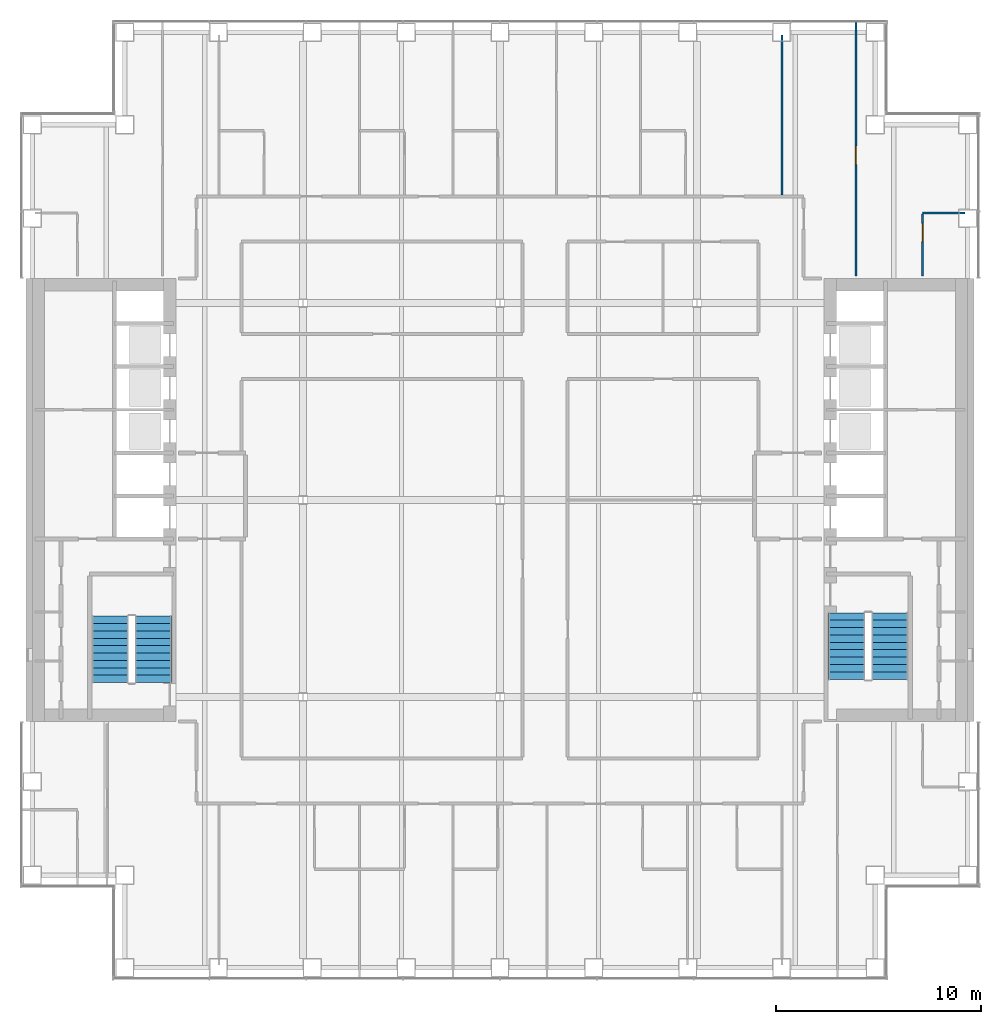
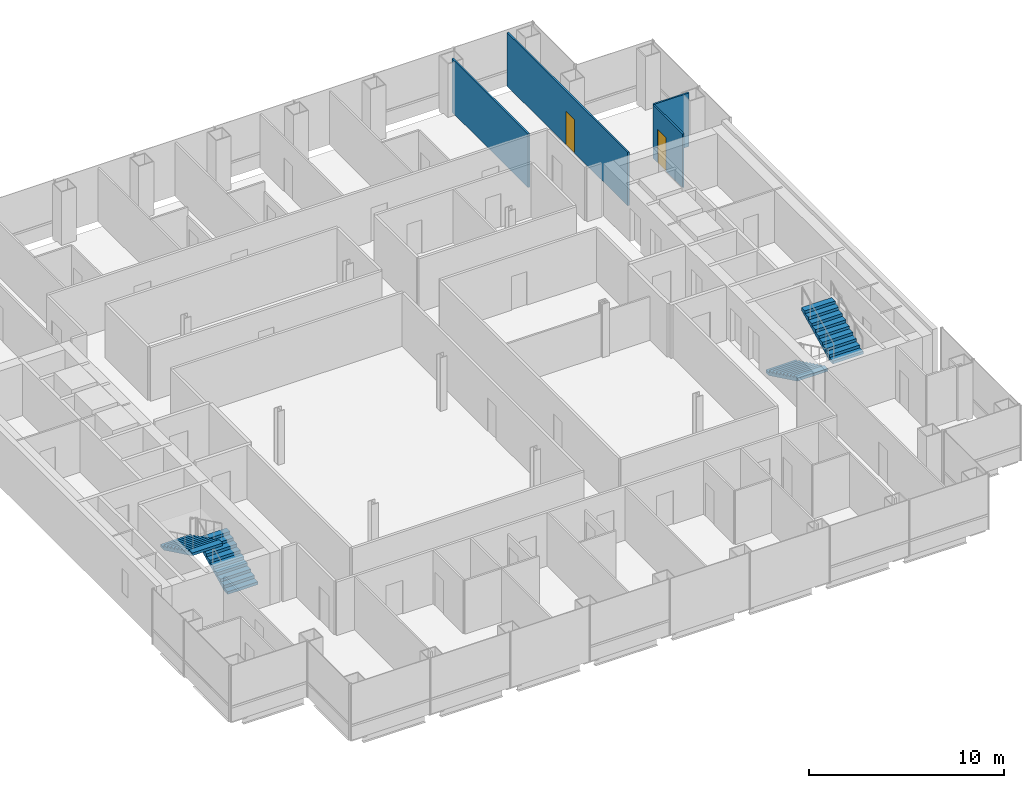
# One storey, part 14 of 16: 4 stair flights, 4 walls, 2 doors, 2 openings, 2 elements without a shape of their own.
"""IFC4 building model written with IfcOpenShell, lengths in metres."""

from ifc_helpers import new_model, si_unit, direction, frame, frame_2d, origin, place, context, subcontext, project, spatial, polyline, rectangle, outline, extrude, material, layer, layer_set, type_object, element, fill, aggregate, save


model = new_model("IFC4")

# Units and contexts
model_context = context("Model", 3, precision=1e-05, world=origin(), true_north=direction((0.0, 1.0)))
body_context = subcontext(model_context, "Body", "Model", "MODEL_VIEW")
ifc_project = project(units=[si_unit("LENGTHUNIT", "METRE"), si_unit("AREAUNIT", "SQUARE_METRE"), si_unit("VOLUMEUNIT", "CUBIC_METRE"), si_unit("PLANEANGLEUNIT", "RADIAN"), si_unit("MASSUNIT", "GRAM", prefix="KILO")], contexts=[model_context])

# Site, building, storey
site_placement = place(None, origin())
site = spatial("IfcSite", under=ifc_project, at=site_placement, CompositionType="ELEMENT")
building_placement = place(site_placement, origin())
building = spatial("IfcBuilding", under=site, at=building_placement, Name="Cobrizo Arcos Hotel Tower", CompositionType="ELEMENT")
storey_placement = place(building_placement, frame((0.0, 0.0, 92.5)))
storey = spatial("IfcBuildingStorey", under=building, at=storey_placement, Name="L22", CompositionType="ELEMENT", Elevation=92.5)

# Walls
ifc_material_1 = material(Name="Gypsum board partition")
ifc_layer = layer(ifc_material_1, 0.10009765625)
ifc_layer_set = layer_set([ifc_layer], Name="Partition EI 30 100")
wall_type = type_object("IfcWallType", Name="Partition EI 30 100", PredefinedType="PARTITIONING", material=ifc_layer_set)
wall_1_placement = place(storey_placement, frame((20.60009765625, 14.0, 0.0), z_axis=(0.0, 0.0, 1.0), x_axis=(1.0, 0.0, 0.0)))
element("IfcWall", 1, at=wall_1_placement, inside=storey, type_object=wall_type, Name="Partition 046", PredefinedType="PARTITIONING", context=body_context, shape_type="SweptSolid", body=[
    extrude(rectangle(XDim=2.079833984375, YDim=0.10009765625, at=frame_2d((1.0400390625, 0.0))), origin(), (0.0, 0.0, 1.0), 3.35009765625),
])
wall_2_placement = place(storey_placement, frame((13.75, 14.875, 0.0), z_axis=(0.0, 0.0, 1.0), x_axis=(0.0, 1.0, 0.0)))
element("IfcWall", 2, at=wall_2_placement, inside=storey, type_object=wall_type, Name="Partition 096", PredefinedType="PARTITIONING", context=body_context, shape_type="SweptSolid", body=[
    extrude(rectangle(XDim=7.804931640625, YDim=0.10009765625, at=frame_2d((3.90234375, 0.0))), origin(), (0.0, 0.0, 1.0), 3.35009765625),
])

# Wall, opening, door
wall_3_placement = place(storey_placement, frame((17.35009765625, 10.919921875, 0.0), z_axis=(0.0, 0.0, 1.0), x_axis=(0.0, 1.0, 0.0)))
wall_3 = element("IfcWall", 3, at=wall_3_placement, inside=storey, type_object=wall_type, Name="Partition 100", PredefinedType="PARTITIONING", context=body_context, shape_type="SweptSolid", body=[
    extrude(rectangle(XDim=12.360107421875, YDim=0.10009765625, at=frame_2d((6.18017578125, 0.0))), origin(), (0.0, 0.0, 1.0), 3.35009765625),
])
opening_1_placement = place(wall_3_placement, frame((5.429931640625, 0.0, 0.0)))
opening_1 = element("IfcOpeningElement", 4, at=opening_1_placement, cuts=wall_3, Name="Opening RD-15", PredefinedType="OPENING", context=body_context, shape_type="SweptSolid", body=[
    extrude(rectangle(XDim=0.89990234375, YDim=2.10009765625, at=frame_2d((0.449951171875, 1.050048828125))), frame((0.0, 0.06201171875, 0.0), z_axis=(0.0, -1.0, 0.0), x_axis=(1.0, 0.0, 0.0)), (0.0, 0.0, 1.0), 0.1240234375),
])
ifc_material_2 = material(Name="Timber door leaf", Category="wood")
door_type_1 = type_object("IfcDoorType", Name="Room door FD30 900x2100", OperationType="SINGLE_SWING_LEFT", PredefinedType="DOOR", material=ifc_material_2)
door_1_placement = place(opening_1_placement, origin())
door_1 = element("IfcDoor", 5, at=door_1_placement, inside=storey, type_object=door_type_1, Name="Door RD-15", OperationType="SINGLE_SWING_LEFT", OverallHeight=2.10009765625, OverallWidth=0.89990234375, PredefinedType="DOOR", context=body_context, shape_type="SweptSolid", body=[
    extrude(rectangle(XDim=0.89990234375, YDim=2.10009765625, at=frame_2d((0.449951171875, 1.050048828125))), frame((0.0, 0.02490234375, 0.0), z_axis=(0.0, -1.0, 0.0), x_axis=(1.0, 0.0, 0.0)), (0.0, 0.0, 1.0), 0.050048828125),
])
fill(opening_1, door_1)

wall_4_placement = place(storey_placement, frame((20.60009765625, 10.919921875, 0.0), z_axis=(0.0, 0.0, 1.0), x_axis=(0.0, 1.0, 0.0)))
wall_4 = element("IfcWall", 6, at=wall_4_placement, inside=storey, type_object=wall_type, Name="Partition 105", PredefinedType="PARTITIONING", context=body_context, shape_type="SweptSolid", body=[
    extrude(rectangle(XDim=3.030029296875, YDim=0.10009765625, at=frame_2d((1.51513671875, 0.0))), origin(), (0.0, 0.0, 1.0), 3.35009765625),
])
opening_2_placement = place(wall_4_placement, frame((1.669921875, 0.0, 0.0)))
opening_2 = element("IfcOpeningElement", 7, at=opening_2_placement, cuts=wall_4, Name="Opening ED-13", PredefinedType="OPENING", context=body_context, shape_type="SweptSolid", body=[
    extrude(rectangle(XDim=0.89990234375, YDim=2.10009765625, at=frame_2d((0.449951171875, 1.050048828125))), frame((0.0, 0.06201171875, 0.0), z_axis=(0.0, -1.0, 0.0), x_axis=(1.0, 0.0, 0.0)), (0.0, 0.0, 1.0), 0.1240234375),
])
door_type_2 = type_object("IfcDoorType", Name="En-suite door 900x2100", OperationType="SINGLE_SWING_LEFT", PredefinedType="DOOR", material=ifc_material_2)
door_2_placement = place(opening_2_placement, origin())
door_2 = element("IfcDoor", 8, at=door_2_placement, inside=storey, type_object=door_type_2, Name="Door ED-13", OperationType="SINGLE_SWING_RIGHT", OverallHeight=2.10009765625, OverallWidth=0.89990234375, PredefinedType="DOOR", context=body_context, shape_type="SweptSolid", body=[
    extrude(rectangle(XDim=0.89990234375, YDim=2.10009765625, at=frame_2d((0.449951171875, 1.050048828125))), frame((0.0, 0.02490234375, 0.0), z_axis=(0.0, -1.0, 0.0), x_axis=(1.0, 0.0, 0.0)), (0.0, 0.0, 1.0), 0.050048828125),
])
fill(opening_2, door_2)

# Stair, stair flights
ifc_material_3 = material(Name="Concrete f'c 40 MPa", Category="concrete")
stair_type = type_object("IfcStairType", Name="Exit stair", PredefinedType="HALF_TURN_STAIR", material=ifc_material_3)
stair_1_placement = place(storey_placement, origin())
stair_1 = element("IfcStair", 9, at=stair_1_placement, inside=storey, type_object=stair_type, Name="L22 Exit stair ST-W", PredefinedType="HALF_TURN_STAIR")
stair_flight_type = type_object("IfcStairFlightType", Name="Exit stair flight", PredefinedType="STRAIGHT", material=ifc_material_3)
stair_flight_1_placement = place(storey_placement, frame((-16.89990234375, -8.89990234375, 0.0), z_axis=(0.0, 0.0, 1.0), x_axis=(0.0, 1.0, 0.0)))
stair_flight_1 = element("IfcStairFlight", 10, at=stair_flight_1_placement, type_object=stair_flight_type, Name="ST-W flight 1", NumberOfRisers=10, NumberOfTreads=9, PredefinedType="STRAIGHT", RiserHeight=0.175, TreadLength=0.36, context=body_context, shape_type="SweptSolid", body=[
    extrude(outline(polyline([(0.0, 0.0), (0.0, 0.175048828125), (0.360107421875, 0.175048828125), (0.360107421875, 0.35009765625), (0.719970703125, 0.35009765625), (0.719970703125, 0.52490234375), (1.080078125, 0.52490234375), (1.080078125, 0.699951171875), (1.43994140625, 0.699951171875), (1.43994140625, 0.875), (1.800048828125, 0.875), (1.800048828125, 1.050048828125), (2.159912109375, 1.050048828125), (2.159912109375, 1.22509765625), (2.52001953125, 1.22509765625), (2.52001953125, 1.39990234375), (2.8798828125, 1.39990234375), (2.8798828125, 1.574951171875), (3.239990234375, 1.574951171875), (3.239990234375, 1.75), (3.239990234375, 1.408203125), (0.3427734375, 0.0), (0.0, 0.0)])), frame((0.0, 0.89990234375, 0.0), z_axis=(0.0, -1.0, 0.0), x_axis=(1.0, 0.0, 0.0)), (0.0, 0.0, 1.0), 1.800048828125),
])
stair_flight_2_placement = place(storey_placement, frame((-19.0, -5.659912109375, 1.75), z_axis=(0.0, 0.0, 1.0), x_axis=(0.0, -1.0, 0.0)))
stair_flight_2 = element("IfcStairFlight", 11, at=stair_flight_2_placement, type_object=stair_flight_type, Name="ST-W flight 2", NumberOfRisers=10, NumberOfTreads=9, PredefinedType="STRAIGHT", RiserHeight=0.175, TreadLength=0.36, context=body_context, shape_type="SweptSolid", body=[
    extrude(outline(polyline([(0.0, 0.0), (0.0, 0.175048828125), (0.360107421875, 0.175048828125), (0.360107421875, 0.35009765625), (0.719970703125, 0.35009765625), (0.719970703125, 0.52490234375), (1.080078125, 0.52490234375), (1.080078125, 0.699951171875), (1.43994140625, 0.699951171875), (1.43994140625, 0.875), (1.800048828125, 0.875), (1.800048828125, 1.050048828125), (2.159912109375, 1.050048828125), (2.159912109375, 1.22509765625), (2.52001953125, 1.22509765625), (2.52001953125, 1.39990234375), (2.8798828125, 1.39990234375), (2.8798828125, 1.574951171875), (3.239990234375, 1.574951171875), (3.239990234375, 1.75), (3.239990234375, 1.408203125), (0.3427734375, 0.0), (0.0, 0.0)])), frame((0.0, 0.89990234375, 0.0), z_axis=(0.0, -1.0, 0.0), x_axis=(1.0, 0.0, 0.0)), (0.0, 0.0, 1.0), 1.800048828125),
])
aggregate(stair_1, [stair_flight_1, stair_flight_2])

stair_2_placement = place(storey_placement, origin())
stair_2 = element("IfcStair", 12, at=stair_2_placement, inside=storey, type_object=stair_type, Name="L22 Exit stair ST-E", PredefinedType="HALF_TURN_STAIR")
stair_flight_3_placement = place(storey_placement, frame((16.89990234375, -5.5, 0.0), z_axis=(0.0, 0.0, 1.0), x_axis=(0.0, -1.0, 0.0)))
stair_flight_3 = element("IfcStairFlight", 13, at=stair_flight_3_placement, type_object=stair_flight_type, Name="ST-E flight 1", NumberOfRisers=10, NumberOfTreads=9, PredefinedType="STRAIGHT", RiserHeight=0.175, TreadLength=0.36, context=body_context, shape_type="SweptSolid", body=[
    extrude(outline(polyline([(0.0, 0.0), (0.0, 0.175048828125), (0.360107421875, 0.175048828125), (0.360107421875, 0.35009765625), (0.719970703125, 0.35009765625), (0.719970703125, 0.52490234375), (1.080078125, 0.52490234375), (1.080078125, 0.699951171875), (1.43994140625, 0.699951171875), (1.43994140625, 0.875), (1.800048828125, 0.875), (1.800048828125, 1.050048828125), (2.159912109375, 1.050048828125), (2.159912109375, 1.22509765625), (2.52001953125, 1.22509765625), (2.52001953125, 1.39990234375), (2.8798828125, 1.39990234375), (2.8798828125, 1.574951171875), (3.239990234375, 1.574951171875), (3.239990234375, 1.75), (3.239990234375, 1.408203125), (0.3427734375, 0.0), (0.0, 0.0)])), frame((0.0, 0.89990234375, 0.0), z_axis=(0.0, -1.0, 0.0), x_axis=(1.0, 0.0, 0.0)), (0.0, 0.0, 1.0), 1.800048828125),
])
stair_flight_4_placement = place(storey_placement, frame((19.0, -8.739990234375, 1.75), z_axis=(0.0, 0.0, 1.0), x_axis=(0.0, 1.0, 0.0)))
stair_flight_4 = element("IfcStairFlight", 14, at=stair_flight_4_placement, type_object=stair_flight_type, Name="ST-E flight 2", NumberOfRisers=10, NumberOfTreads=9, PredefinedType="STRAIGHT", RiserHeight=0.175, TreadLength=0.36, context=body_context, shape_type="SweptSolid", body=[
    extrude(outline(polyline([(0.0, 0.0), (0.0, 0.175048828125), (0.360107421875, 0.175048828125), (0.360107421875, 0.35009765625), (0.719970703125, 0.35009765625), (0.719970703125, 0.52490234375), (1.080078125, 0.52490234375), (1.080078125, 0.699951171875), (1.43994140625, 0.699951171875), (1.43994140625, 0.875), (1.800048828125, 0.875), (1.800048828125, 1.050048828125), (2.159912109375, 1.050048828125), (2.159912109375, 1.22509765625), (2.52001953125, 1.22509765625), (2.52001953125, 1.39990234375), (2.8798828125, 1.39990234375), (2.8798828125, 1.574951171875), (3.239990234375, 1.574951171875), (3.239990234375, 1.75), (3.239990234375, 1.408203125), (0.3427734375, 0.0), (0.0, 0.0)])), frame((0.0, 0.89990234375, 0.0), z_axis=(0.0, -1.0, 0.0), x_axis=(1.0, 0.0, 0.0)), (0.0, 0.0, 1.0), 1.800048828125),
])
aggregate(stair_2, [stair_flight_3, stair_flight_4])

save(model, "model.ifc")
